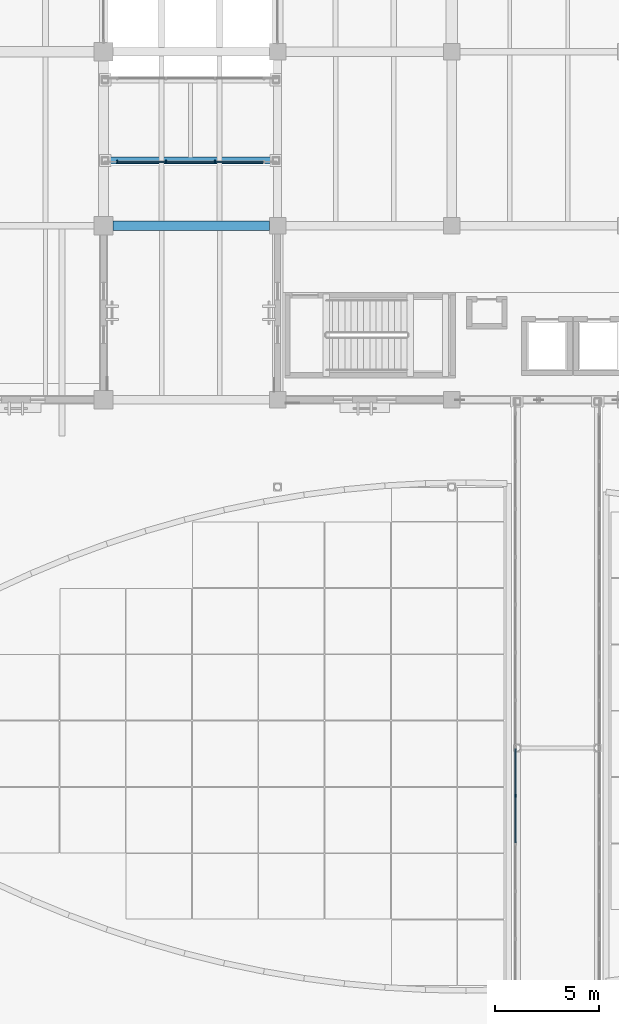
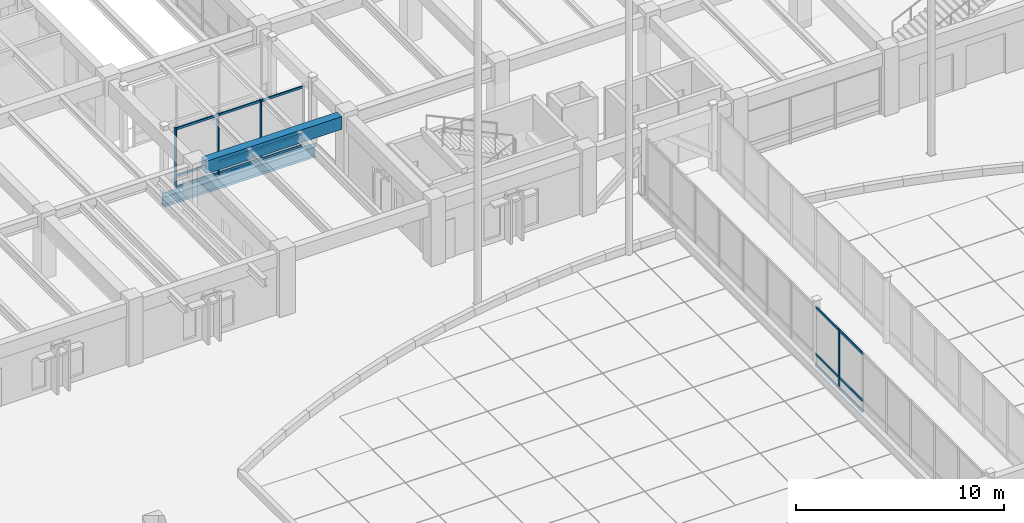
# One storey, part 43 of 135: 19 members, 2 beams, 2 elements without a shape of their own.
"""IFC4 building model written with IfcOpenShell, lengths in metres."""

from ifc_helpers import new_model, si_unit, direction, frame, origin, origin_2d, place, context, subcontext, project, spatial, rectangle, i_section, extrude, material, material_profile, profile_set, type_object, element, aggregate, save


model = new_model("IFC4")

# Units and contexts
model_context = context("Model", 3, precision=1e-05, world=origin(), true_north=direction((0.0, 1.0)))
body_context = subcontext(model_context, "Body", "Model", "MODEL_VIEW")
ifc_project = project(units=[si_unit("LENGTHUNIT", "METRE"), si_unit("AREAUNIT", "SQUARE_METRE"), si_unit("VOLUMEUNIT", "CUBIC_METRE"), si_unit("PLANEANGLEUNIT", "RADIAN"), si_unit("MASSUNIT", "GRAM", prefix="KILO")], contexts=[model_context])

# Site, building, storey
site_placement = place(None, origin())
site = spatial("IfcSite", under=ifc_project, at=site_placement, CompositionType="ELEMENT")
building_placement = place(site_placement, origin())
building = spatial("IfcBuilding", under=site, at=building_placement, Name="Cumbredor Promenade Congress Hotel", CompositionType="ELEMENT")
storey_placement = place(building_placement, origin())
storey = spatial("IfcBuildingStorey", under=building, at=storey_placement, Name="L00", CompositionType="ELEMENT", Elevation=0.0)

# Beams
ifc_material_1 = material(Name="Concrete C40/50", Category="concrete")
ifc_material_profile_1 = material_profile(ifc_material_1, rectangle(XDim=0.449951171875, YDim=0.75, at=origin_2d()), Name="RC BEAM 450x750")
ifc_profile_set_1 = profile_set([ifc_material_profile_1], Name="Concrete C40/50")
beam_type_1 = type_object("IfcBeamType", Name="BM-RC-450x750", PredefinedType="BEAM", material=ifc_profile_set_1)
beam_1_placement = place(storey_placement, frame((84.449951171875, 92.39990234375, 3.264892578125), z_axis=(1.0, 0.0, 0.0), x_axis=(0.0, 1.0, 0.0)))
element("IfcBeam", 1, at=beam_1_placement, inside=storey, type_object=beam_type_1, Name="L01 X-Grid Beam 155", PredefinedType="BEAM", context=body_context, shape_type="SweptSolid", body=[
    extrude(rectangle(XDim=0.449951171875, YDim=0.75, at=origin_2d()), origin(), (0.0, 0.0, 1.0), 7.550048828125),
])
ifc_material_2 = material(Name="Steel ASTM A992 Grade 50", Category="steel")
ifc_material_profile_2 = material_profile(ifc_material_2, i_section(OverallWidth=0.323974609375, OverallDepth=0.611083984375, WebThickness=0.0126953125, FlangeThickness=0.01904296875, at=origin_2d()), Name="W24X104")
ifc_profile_set_2 = profile_set([ifc_material_profile_2], Name="Steel ASTM A992 Grade 50")
beam_type_2 = type_object("IfcBeamType", Name="BM-W24X104", PredefinedType="BEAM", material=ifc_profile_set_2)
beam_2_placement = place(storey_placement, frame((83.9599609375, 95.550048828125, -0.525390625), z_axis=(1.0, 0.0, 0.0), x_axis=(0.0, 1.0, 0.0)))
element("IfcBeam", 2, at=beam_2_placement, inside=storey, type_object=beam_type_2, Name="L00 North Hotel-to-Forum Glazed Bridge Edge Girder 1", PredefinedType="BEAM", context=body_context, shape_type="SweptSolid", body=[
    extrude(i_section(OverallWidth=0.323974609375, OverallDepth=0.611083984375, WebThickness=0.0126953125, FlangeThickness=0.01904296875, at=origin_2d()), origin(), (0.0, 0.0, 1.0), 8.47998046875),
])

# Curtain wall, member
ifc_material_3 = material(Name="Thermally broken anodized aluminium and low-E glass", Category="aluminium")
curtain_wall_type = type_object("IfcCurtainWallType", Name="Unitised Bridge Glazing Screen CW-05", PredefinedType="NOTDEFINED", material=ifc_material_3)
curtain_wall_1_placement = place(storey_placement, origin())
curtain_wall_1 = element("IfcCurtainWall", 3, at=curtain_wall_1_placement, inside=storey, type_object=curtain_wall_type, Name="L00 Central Reflecting-Pool Promenade Bridge West Glazing Screen", PredefinedType="NOTDEFINED")
ifc_material_4 = material(Name="Thermally broken anodized aluminium", Category="aluminium")
ifc_material_profile_3 = material_profile(ifc_material_4, rectangle(XDim=0.06494140625, YDim=0.159912109375, at=origin_2d()), Name="ALU MULLION 65x160")
ifc_profile_set_3 = profile_set([ifc_material_profile_3], Name="Thermally broken anodized aluminium")
member_type_1 = type_object("IfcMemberType", Name="Curtain Wall Mullion ML-01", PredefinedType="MULLION", material=ifc_profile_set_3)
member_1_placement = place(storey_placement, frame((103.8798828125, 64.894287109375, -0.008056640625), z_axis=(0.0, 0.0, 1.0), x_axis=(1.0, 0.0, 0.0)))
member_1 = element("IfcMember", 4, at=member_1_placement, type_object=member_type_1, Name="L00 Central Reflecting-Pool Promenade Bridge West Glazing Screen Mullion 7", PredefinedType="MULLION", context=body_context, shape_type="SweptSolid", body=[
    extrude(rectangle(XDim=0.06494140625, YDim=0.159912109375, at=origin_2d()), origin(), (0.0, 0.0, 1.0), 3.55615234375),
])

# Curtain wall, members
curtain_wall_2_placement = place(storey_placement, origin())
curtain_wall_2 = element("IfcCurtainWall", 5, at=curtain_wall_2_placement, inside=storey, type_object=curtain_wall_type, Name="L00 North Hotel-to-Forum Glazed Bridge South Glazing Screen", PredefinedType="NOTDEFINED")
member_2_placement = place(storey_placement, frame((84.659912109375, 95.47998046875, -0.008056640625), z_axis=(0.0, 0.0, 1.0), x_axis=(1.0, 0.0, 0.0)))
member_2 = element("IfcMember", 6, at=member_2_placement, type_object=member_type_1, Name="L00 North Hotel-to-Forum Glazed Bridge South Glazing Screen Mullion 1", PredefinedType="MULLION", context=body_context, shape_type="SweptSolid", body=[
    extrude(rectangle(XDim=0.06494140625, YDim=0.159912109375, at=origin_2d()), origin(), (0.0, 0.0, 1.0), 3.55615234375),
])
member_3_placement = place(storey_placement, frame((87.02001953125, 95.47998046875, -0.008056640625), z_axis=(0.0, 0.0, 1.0), x_axis=(1.0, 0.0, 0.0)))
member_3 = element("IfcMember", 7, at=member_3_placement, type_object=member_type_1, Name="L00 North Hotel-to-Forum Glazed Bridge South Glazing Screen Mullion 2", PredefinedType="MULLION", context=body_context, shape_type="SweptSolid", body=[
    extrude(rectangle(XDim=0.06494140625, YDim=0.159912109375, at=origin_2d()), origin(), (0.0, 0.0, 1.0), 3.55615234375),
])
member_4_placement = place(storey_placement, frame((89.3798828125, 95.47998046875, -0.008056640625), z_axis=(0.0, 0.0, 1.0), x_axis=(1.0, 0.0, 0.0)))
member_4 = element("IfcMember", 8, at=member_4_placement, type_object=member_type_1, Name="L00 North Hotel-to-Forum Glazed Bridge South Glazing Screen Mullion 3", PredefinedType="MULLION", context=body_context, shape_type="SweptSolid", body=[
    extrude(rectangle(XDim=0.06494140625, YDim=0.159912109375, at=origin_2d()), origin(), (0.0, 0.0, 1.0), 3.55615234375),
])

# Member
ifc_material_profile_4 = material_profile(ifc_material_4, rectangle(XDim=0.06494140625, YDim=0.1298828125, at=origin_2d()), Name="ALU TRANSOM 65x130")
ifc_profile_set_4 = profile_set([ifc_material_profile_4], Name="Thermally broken anodized aluminium")
member_type_2 = type_object("IfcMemberType", Name="Curtain Wall Transom TR-01", PredefinedType="USERDEFINED", material=ifc_profile_set_4)
member_5_placement = place(storey_placement, frame((103.8798828125, 62.62109375, 0.070068359375), z_axis=(0.0, 1.0, 0.0), x_axis=(-1.0, 0.0, 0.0)))
member_5 = element("IfcMember", 9, at=member_5_placement, type_object=member_type_2, Name="L00 Central Reflecting-Pool Promenade Bridge West Glazing Screen Transom 6.1", ObjectType="TRANSOM", PredefinedType="USERDEFINED", context=body_context, shape_type="SweptSolid", body=[
    extrude(rectangle(XDim=0.06494140625, YDim=0.1298828125, at=origin_2d()), origin(), (0.0, 0.0, 1.0), 2.24072265625),
])

member_6_placement = place(storey_placement, frame((103.8798828125, 62.62109375, 0.719970703125), z_axis=(0.0, 1.0, 0.0), x_axis=(-1.0, 0.0, 0.0)))
member_6 = element("IfcMember", 10, at=member_6_placement, type_object=member_type_2, Name="L00 Central Reflecting-Pool Promenade Bridge West Glazing Screen Transom 6.2", ObjectType="TRANSOM", PredefinedType="USERDEFINED", context=body_context, shape_type="SweptSolid", body=[
    extrude(rectangle(XDim=0.06494140625, YDim=0.1298828125, at=origin_2d()), origin(), (0.0, 0.0, 1.0), 2.24072265625),
])

member_7_placement = place(storey_placement, frame((103.8798828125, 62.62109375, 3.47998046875), z_axis=(0.0, 1.0, 0.0), x_axis=(-1.0, 0.0, 0.0)))
member_7 = element("IfcMember", 11, at=member_7_placement, type_object=member_type_2, Name="L00 Central Reflecting-Pool Promenade Bridge West Glazing Screen Transom 6.3", ObjectType="TRANSOM", PredefinedType="USERDEFINED", context=body_context, shape_type="SweptSolid", body=[
    extrude(rectangle(XDim=0.06494140625, YDim=0.1298828125, at=origin_2d()), origin(), (0.0, 0.0, 1.0), 2.24072265625),
])

member_8_placement = place(storey_placement, frame((103.8798828125, 64.9267578125, 0.070068359375), z_axis=(0.0, 1.0, 0.0), x_axis=(-1.0, 0.0, 0.0)))
member_8 = element("IfcMember", 12, at=member_8_placement, type_object=member_type_2, Name="L00 Central Reflecting-Pool Promenade Bridge West Glazing Screen Transom 7.1", ObjectType="TRANSOM", PredefinedType="USERDEFINED", context=body_context, shape_type="SweptSolid", body=[
    extrude(rectangle(XDim=0.06494140625, YDim=0.1298828125, at=origin_2d()), origin(), (0.0, 0.0, 1.0), 2.24072265625),
])

member_9_placement = place(storey_placement, frame((103.8798828125, 64.9267578125, 0.719970703125), z_axis=(0.0, 1.0, 0.0), x_axis=(-1.0, 0.0, 0.0)))
member_9 = element("IfcMember", 13, at=member_9_placement, type_object=member_type_2, Name="L00 Central Reflecting-Pool Promenade Bridge West Glazing Screen Transom 7.2", ObjectType="TRANSOM", PredefinedType="USERDEFINED", context=body_context, shape_type="SweptSolid", body=[
    extrude(rectangle(XDim=0.06494140625, YDim=0.1298828125, at=origin_2d()), origin(), (0.0, 0.0, 1.0), 2.24072265625),
])

member_10_placement = place(storey_placement, frame((103.8798828125, 64.9267578125, 3.47998046875), z_axis=(0.0, 1.0, 0.0), x_axis=(-1.0, 0.0, 0.0)))
member_10 = element("IfcMember", 14, at=member_10_placement, type_object=member_type_2, Name="L00 Central Reflecting-Pool Promenade Bridge West Glazing Screen Transom 7.3", ObjectType="TRANSOM", PredefinedType="USERDEFINED", context=body_context, shape_type="SweptSolid", body=[
    extrude(rectangle(XDim=0.06494140625, YDim=0.1298828125, at=origin_2d()), origin(), (0.0, 0.0, 1.0), 2.24072265625),
])

aggregate(curtain_wall_1, [member_1, member_5, member_6, member_7, member_8, member_9, member_10])

member_11_placement = place(storey_placement, frame((84.6923828125, 95.47998046875, 0.070068359375), z_axis=(1.0, 0.0, 0.0), x_axis=(0.0, 1.0, 0.0)))
member_11 = element("IfcMember", 15, at=member_11_placement, type_object=member_type_2, Name="L00 North Hotel-to-Forum Glazed Bridge South Glazing Screen Transom 1.1", ObjectType="TRANSOM", PredefinedType="USERDEFINED", context=body_context, shape_type="SweptSolid", body=[
    extrude(rectangle(XDim=0.06494140625, YDim=0.1298828125, at=origin_2d()), origin(), (0.0, 0.0, 1.0), 2.295166015625),
])

member_12_placement = place(storey_placement, frame((84.6923828125, 95.47998046875, 0.719970703125), z_axis=(1.0, 0.0, 0.0), x_axis=(0.0, 1.0, 0.0)))
member_12 = element("IfcMember", 16, at=member_12_placement, type_object=member_type_2, Name="L00 North Hotel-to-Forum Glazed Bridge South Glazing Screen Transom 1.2", ObjectType="TRANSOM", PredefinedType="USERDEFINED", context=body_context, shape_type="SweptSolid", body=[
    extrude(rectangle(XDim=0.06494140625, YDim=0.1298828125, at=origin_2d()), origin(), (0.0, 0.0, 1.0), 2.295166015625),
])

member_13_placement = place(storey_placement, frame((84.6923828125, 95.47998046875, 3.47998046875), z_axis=(1.0, 0.0, 0.0), x_axis=(0.0, 1.0, 0.0)))
member_13 = element("IfcMember", 17, at=member_13_placement, type_object=member_type_2, Name="L00 North Hotel-to-Forum Glazed Bridge South Glazing Screen Transom 1.3", ObjectType="TRANSOM", PredefinedType="USERDEFINED", context=body_context, shape_type="SweptSolid", body=[
    extrude(rectangle(XDim=0.06494140625, YDim=0.1298828125, at=origin_2d()), origin(), (0.0, 0.0, 1.0), 2.295166015625),
])

member_14_placement = place(storey_placement, frame((87.052490234375, 95.47998046875, 0.070068359375), z_axis=(1.0, 0.0, 0.0), x_axis=(0.0, 1.0, 0.0)))
member_14 = element("IfcMember", 18, at=member_14_placement, type_object=member_type_2, Name="L00 North Hotel-to-Forum Glazed Bridge South Glazing Screen Transom 2.1", ObjectType="TRANSOM", PredefinedType="USERDEFINED", context=body_context, shape_type="SweptSolid", body=[
    extrude(rectangle(XDim=0.06494140625, YDim=0.1298828125, at=origin_2d()), origin(), (0.0, 0.0, 1.0), 2.294921875),
])

member_15_placement = place(storey_placement, frame((87.052490234375, 95.47998046875, 0.719970703125), z_axis=(1.0, 0.0, 0.0), x_axis=(0.0, 1.0, 0.0)))
member_15 = element("IfcMember", 19, at=member_15_placement, type_object=member_type_2, Name="L00 North Hotel-to-Forum Glazed Bridge South Glazing Screen Transom 2.2", ObjectType="TRANSOM", PredefinedType="USERDEFINED", context=body_context, shape_type="SweptSolid", body=[
    extrude(rectangle(XDim=0.06494140625, YDim=0.1298828125, at=origin_2d()), origin(), (0.0, 0.0, 1.0), 2.294921875),
])

member_16_placement = place(storey_placement, frame((87.052490234375, 95.47998046875, 3.47998046875), z_axis=(1.0, 0.0, 0.0), x_axis=(0.0, 1.0, 0.0)))
member_16 = element("IfcMember", 20, at=member_16_placement, type_object=member_type_2, Name="L00 North Hotel-to-Forum Glazed Bridge South Glazing Screen Transom 2.3", ObjectType="TRANSOM", PredefinedType="USERDEFINED", context=body_context, shape_type="SweptSolid", body=[
    extrude(rectangle(XDim=0.06494140625, YDim=0.1298828125, at=origin_2d()), origin(), (0.0, 0.0, 1.0), 2.294921875),
])

member_17_placement = place(storey_placement, frame((89.41259765625, 95.47998046875, 0.070068359375), z_axis=(1.0, 0.0, 0.0), x_axis=(0.0, 1.0, 0.0)))
member_17 = element("IfcMember", 21, at=member_17_placement, type_object=member_type_2, Name="L00 North Hotel-to-Forum Glazed Bridge South Glazing Screen Transom 3.1", ObjectType="TRANSOM", PredefinedType="USERDEFINED", context=body_context, shape_type="SweptSolid", body=[
    extrude(rectangle(XDim=0.06494140625, YDim=0.1298828125, at=origin_2d()), origin(), (0.0, 0.0, 1.0), 2.294921875),
])

member_18_placement = place(storey_placement, frame((89.41259765625, 95.47998046875, 0.719970703125), z_axis=(1.0, 0.0, 0.0), x_axis=(0.0, 1.0, 0.0)))
member_18 = element("IfcMember", 22, at=member_18_placement, type_object=member_type_2, Name="L00 North Hotel-to-Forum Glazed Bridge South Glazing Screen Transom 3.2", ObjectType="TRANSOM", PredefinedType="USERDEFINED", context=body_context, shape_type="SweptSolid", body=[
    extrude(rectangle(XDim=0.06494140625, YDim=0.1298828125, at=origin_2d()), origin(), (0.0, 0.0, 1.0), 2.294921875),
])

member_19_placement = place(storey_placement, frame((89.41259765625, 95.47998046875, 3.47998046875), z_axis=(1.0, 0.0, 0.0), x_axis=(0.0, 1.0, 0.0)))
member_19 = element("IfcMember", 23, at=member_19_placement, type_object=member_type_2, Name="L00 North Hotel-to-Forum Glazed Bridge South Glazing Screen Transom 3.3", ObjectType="TRANSOM", PredefinedType="USERDEFINED", context=body_context, shape_type="SweptSolid", body=[
    extrude(rectangle(XDim=0.06494140625, YDim=0.1298828125, at=origin_2d()), origin(), (0.0, 0.0, 1.0), 2.294921875),
])

aggregate(curtain_wall_2, [member_2, member_3, member_4, member_11, member_12, member_13, member_14, member_15, member_16, member_17, member_18, member_19])

save(model, "model.ifc")
